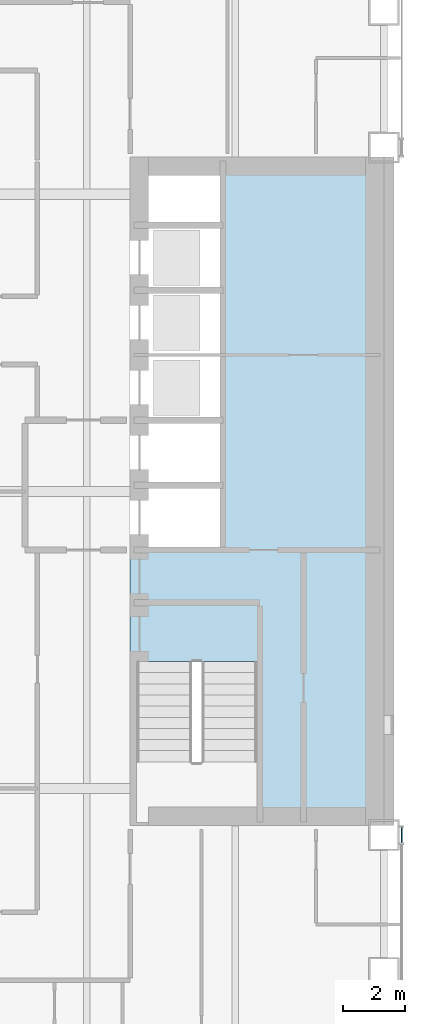
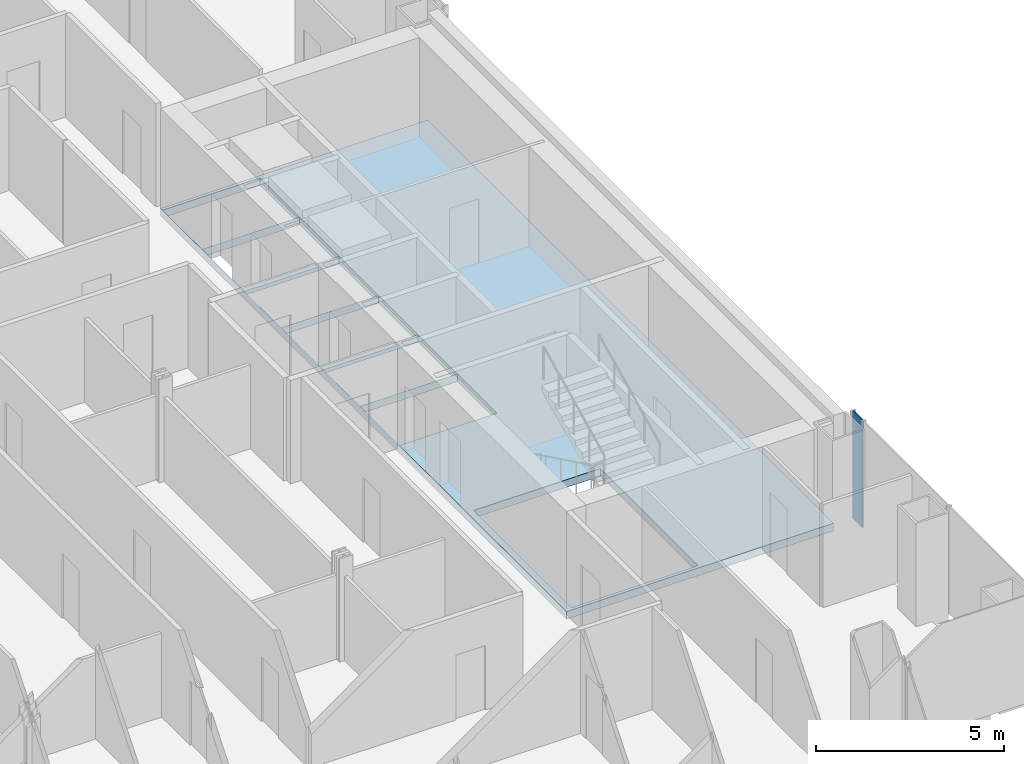
# One storey, part 14 of 23: 1 plate, 1 slab, 1 element without a shape of its own.
"""IFC4 building model written with IfcOpenShell, lengths in metres."""

from ifc_helpers import new_model, si_unit, direction, frame, origin, origin_2d, place, context, subcontext, project, spatial, polyline, rectangle, outline, extrude, material, layer, layer_set, type_object, element, aggregate, save


model = new_model("IFC4")

# Units and contexts
model_context = context("Model", 3, precision=1e-05, world=origin(), true_north=direction((0.0, 1.0)))
body_context = subcontext(model_context, "Body", "Model", "MODEL_VIEW")
ifc_project = project(units=[si_unit("LENGTHUNIT", "METRE"), si_unit("AREAUNIT", "SQUARE_METRE"), si_unit("VOLUMEUNIT", "CUBIC_METRE"), si_unit("PLANEANGLEUNIT", "RADIAN"), si_unit("MASSUNIT", "GRAM", prefix="KILO")], contexts=[model_context])

# Site, building, storey
site_placement = place(None, origin())
site = spatial("IfcSite", under=ifc_project, at=site_placement, CompositionType="ELEMENT")
building_placement = place(site_placement, origin())
building = spatial("IfcBuilding", under=site, at=building_placement, Name="Cobrizo Arcos Hotel Tower", CompositionType="ELEMENT")
storey_placement = place(building_placement, frame((0.0, 0.0, 49.5)))
storey = spatial("IfcBuildingStorey", under=building, at=storey_placement, Name="L10", CompositionType="ELEMENT", Elevation=49.5)

# Curtain wall, plate
ifc_material_1 = material(Name="Aluminium 6063-T6 anodised bronze", Category="aluminium")
curtain_wall_type = type_object("IfcCurtainWallType", Name="CW-A guest facade", PredefinedType="NOTDEFINED", material=ifc_material_1)
curtain_wall_placement = place(storey_placement, origin())
curtain_wall = element("IfcCurtainWall", 1, at=curtain_wall_placement, inside=storey, type_object=curtain_wall_type, Name="CW-A L10 E face", PredefinedType="NOTDEFINED")
ifc_material_2 = material(Name="Aluminium composite panel pale metal", Category="aluminium")
ifc_layer_1 = layer(ifc_material_2, 0.0400390625)
ifc_layer_set_1 = layer_set([ifc_layer_1], Name="CW-A spandrel panel")
plate_type = type_object("IfcPlateType", Name="CW-A spandrel panel", PredefinedType="CURTAIN_PANEL", material=ifc_layer_set_1)
plate_placement = place(storey_placement, frame((24.574951171875, -11.109375, 0.0), z_axis=(0.0, 0.0, 1.0), x_axis=(0.0, 1.0, 0.0)))
plate = element("IfcPlate", 2, at=plate_placement, type_object=plate_type, Name="CW-A spandrel panel 488", PredefinedType="CURTAIN_PANEL", context=body_context, shape_type="SweptSolid", body=[
    extrude(rectangle(XDim=0.498779296875, YDim=0.0400390625, at=origin_2d()), origin(), (0.0, 0.0, 1.0), 3.5),
])
aggregate(curtain_wall, [plate])

# Slab
ifc_material_3 = material(Name="Concrete f'c 60 MPa", Category="concrete")
ifc_layer_2 = layer(ifc_material_3, 0.25)
ifc_layer_set_2 = layer_set([ifc_layer_2], Name="RC core floor slab 250 f'c 60")
slab_type = type_object("IfcSlabType", Name="RC core floor slab 250 f'c 60", PredefinedType="FLOOR", material=ifc_layer_set_2)
slab_placement = place(storey_placement, frame((0.0, 0.0, -0.25)))
element("IfcSlab", 3, at=slab_placement, inside=storey, type_object=slab_type, Name="Core floor slab CS3, east core, L10", PredefinedType="FLOOR", context=body_context, shape_type="SweptSolid", body=[
    extrude(outline(polyline([(15.800048828125, 10.800048828125), (24.0, 10.800048828125), (24.0, -10.800048828125), (15.800048828125, -10.800048828125), (15.800048828125, 10.800048828125)]), holes=[polyline([(19.89794921875, -10.697998046875), (19.89794921875, -5.501953125), (16.001953125, -5.501953125), (16.001953125, -10.697998046875), (19.89794921875, -10.697998046875)]), polyline([(15.802001953125, 0.197998046875), (15.802001953125, -1.89794921875), (18.798095703125, -1.89794921875), (18.798095703125, 0.197998046875), (15.802001953125, 0.197998046875)]), polyline([(18.798095703125, 2.298095703125), (15.802001953125, 2.298095703125), (15.802001953125, 0.201904296875), (18.798095703125, 0.201904296875), (18.798095703125, 2.298095703125)]), polyline([(18.798095703125, 4.39794921875), (15.802001953125, 4.39794921875), (15.802001953125, 2.302001953125), (18.798095703125, 2.302001953125), (18.798095703125, 4.39794921875)]), polyline([(15.802001953125, 6.498046875), (15.802001953125, 4.402099609375), (18.798095703125, 4.402099609375), (18.798095703125, 6.498046875), (15.802001953125, 6.498046875)]), polyline([(18.798095703125, 8.597900390625), (15.802001953125, 8.597900390625), (15.802001953125, 6.501953125), (18.798095703125, 6.501953125), (18.798095703125, 8.597900390625)]), polyline([(18.798095703125, 10.697998046875), (15.802001953125, 10.697998046875), (15.802001953125, 8.60205078125), (18.798095703125, 8.60205078125), (18.798095703125, 10.697998046875)])]), origin(), (0.0, 0.0, 1.0), 0.25),
])

save(model, "model.ifc")
